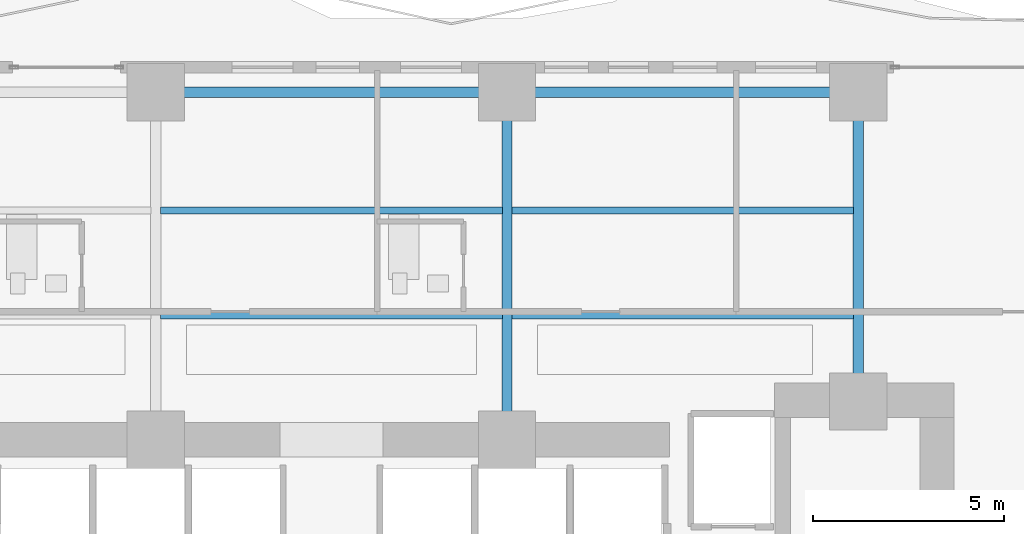
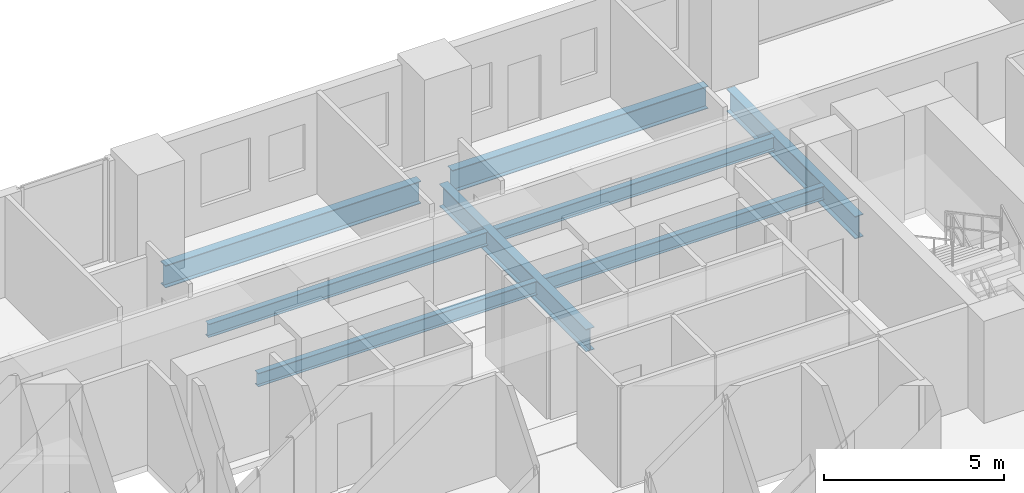
# One storey, part 15 of 29: 8 beams.
"""IFC4 building model written with IfcOpenShell, lengths in metres."""

from ifc_helpers import new_model, si_unit, direction, frame, origin, origin_2d, place, context, subcontext, project, spatial, i_section, extrude, material, material_profile, profile_set, type_object, element, save


model = new_model("IFC4")

# Units and contexts
model_context = context("Model", 3, precision=1e-05, world=origin(), true_north=direction((0.0, 1.0)))
body_context = subcontext(model_context, "Body", "Model", "MODEL_VIEW")
ifc_project = project(units=[si_unit("LENGTHUNIT", "METRE"), si_unit("AREAUNIT", "SQUARE_METRE"), si_unit("VOLUMEUNIT", "CUBIC_METRE"), si_unit("PLANEANGLEUNIT", "RADIAN"), si_unit("MASSUNIT", "GRAM", prefix="KILO")], contexts=[model_context])

# Site, building, storey
site_placement = place(None, origin())
site = spatial("IfcSite", under=ifc_project, at=site_placement, CompositionType="ELEMENT")
building_placement = place(site_placement, origin())
building = spatial("IfcBuilding", under=site, at=building_placement, Name="Zuhayl Quay Hotel", CompositionType="ELEMENT")
storey_placement = place(building_placement, frame((0.0, 0.0, 45.85009765625)))
storey = spatial("IfcBuildingStorey", under=building, at=storey_placement, Name="L10", CompositionType="ELEMENT", Elevation=45.85009765625)

# Beams
ifc_material = material(Name="Steel ASTM A992 Grade 50", Category="steel")
ifc_material_profile_1 = material_profile(ifc_material, i_section(OverallWidth=0.26708984375, OverallDepth=0.761962890625, WebThickness=0.014404296875, FlangeThickness=0.021484375, at=origin_2d()), Name="W30X116")
ifc_profile_set_1 = profile_set([ifc_material_profile_1], Name="Steel ASTM A992 Grade 50")
beam_type_1 = type_object("IfcBeamType", Name="BM_B1_W30X116", PredefinedType="BEAM", material=ifc_profile_set_1)
beam_1_placement = place(storey_placement, frame((13.300048828125, 22.449951171875, -0.60107421875), z_axis=(-1.0, 0.0, 0.0), x_axis=(0.0, -1.0, 0.0)))
element("IfcBeam", 1, at=beam_1_placement, inside=storey, type_object=beam_type_1, Name="L10 Floor Beam RG_L10_07", PredefinedType="BEAM", context=body_context, shape_type="SweptSolid", body=[
    extrude(i_section(OverallWidth=0.26708984375, OverallDepth=0.761962890625, WebThickness=0.014404296875, FlangeThickness=0.021484375, at=origin_2d()), origin(), (0.0, 0.0, 1.0), 8.199951171875),
])
beam_2_placement = place(storey_placement, frame((4.10009765625, 22.449951171875, -0.60107421875), z_axis=(-1.0, 0.0, 0.0), x_axis=(0.0, -1.0, 0.0)))
element("IfcBeam", 2, at=beam_2_placement, inside=storey, type_object=beam_type_1, Name="L10 Floor Beam RG_L10_08", PredefinedType="BEAM", context=body_context, shape_type="SweptSolid", body=[
    extrude(i_section(OverallWidth=0.26708984375, OverallDepth=0.761962890625, WebThickness=0.014404296875, FlangeThickness=0.021484375, at=origin_2d()), origin(), (0.0, 0.0, 1.0), 8.2001953125),
])
beam_3_placement = place(storey_placement, frame((4.60009765625, 13.800048828125, -0.60107421875), z_axis=(0.0, 1.0, 0.0), x_axis=(-1.0, 0.0, 0.0)))
element("IfcBeam", 3, at=beam_3_placement, inside=storey, type_object=beam_type_1, Name="L10 Floor Beam FG_N_L10_3", PredefinedType="BEAM", context=body_context, shape_type="SweptSolid", body=[
    extrude(i_section(OverallWidth=0.26708984375, OverallDepth=0.761962890625, WebThickness=0.014404296875, FlangeThickness=0.021484375, at=origin_2d()), origin(), (0.0, 0.0, 1.0), 8.14990234375),
])
beam_4_placement = place(storey_placement, frame((13.800048828125, 14.800048828125, -0.60107421875), z_axis=(0.0, 1.0, 0.0), x_axis=(-1.0, 0.0, 0.0)))
element("IfcBeam", 4, at=beam_4_placement, inside=storey, type_object=beam_type_1, Name="L10 Floor Beam FG_N_L10_4", PredefinedType="BEAM", context=body_context, shape_type="SweptSolid", body=[
    extrude(i_section(OverallWidth=0.26708984375, OverallDepth=0.761962890625, WebThickness=0.014404296875, FlangeThickness=0.021484375, at=origin_2d()), origin(), (0.0, 0.0, 1.0), 7.14990234375),
])
ifc_material_profile_2 = material_profile(ifc_material, i_section(OverallWidth=0.18994140625, OverallDepth=0.45703125, WebThickness=0.009033203125, FlangeThickness=0.014404296875, at=origin_2d()), Name="W18X50")
ifc_profile_set_2 = profile_set([ifc_material_profile_2], Name="Steel ASTM A992 Grade 50")
beam_type_2 = type_object("IfcBeamType", Name="BM_J2_W18X50", PredefinedType="JOIST", material=ifc_profile_set_2)
beam_5_placement = place(storey_placement, frame((-4.474609375, 16.60009765625, -0.448486328125), z_axis=(1.0, 0.0, 0.0), x_axis=(0.0, 1.0, 0.0)))
element("IfcBeam", 5, at=beam_5_placement, inside=storey, type_object=beam_type_2, Name="L10 Floor Beam FJ_L10_1_2", PredefinedType="JOIST", context=body_context, shape_type="SweptSolid", body=[
    extrude(i_section(OverallWidth=0.18994140625, OverallDepth=0.45703125, WebThickness=0.009033203125, FlangeThickness=0.014404296875, at=origin_2d()), origin(), (0.0, 0.0, 1.0), 8.94921875),
])
beam_6_placement = place(storey_placement, frame((4.7255859375, 16.60009765625, -0.448486328125), z_axis=(1.0, 0.0, 0.0), x_axis=(0.0, 1.0, 0.0)))
element("IfcBeam", 6, at=beam_6_placement, inside=storey, type_object=beam_type_2, Name="L10 Floor Beam FJ_L10_1_3", PredefinedType="JOIST", context=body_context, shape_type="SweptSolid", body=[
    extrude(i_section(OverallWidth=0.18994140625, OverallDepth=0.45703125, WebThickness=0.009033203125, FlangeThickness=0.014404296875, at=origin_2d()), origin(), (0.0, 0.0, 1.0), 8.948974609375),
])
beam_7_placement = place(storey_placement, frame((-4.474609375, 19.35009765625, -0.448486328125), z_axis=(1.0, 0.0, 0.0), x_axis=(0.0, 1.0, 0.0)))
element("IfcBeam", 7, at=beam_7_placement, inside=storey, type_object=beam_type_2, Name="L10 Floor Beam FJ_L10_2_2", PredefinedType="JOIST", context=body_context, shape_type="SweptSolid", body=[
    extrude(i_section(OverallWidth=0.18994140625, OverallDepth=0.45703125, WebThickness=0.009033203125, FlangeThickness=0.014404296875, at=origin_2d()), origin(), (0.0, 0.0, 1.0), 8.94921875),
])
beam_8_placement = place(storey_placement, frame((4.7255859375, 19.35009765625, -0.448486328125), z_axis=(1.0, 0.0, 0.0), x_axis=(0.0, 1.0, 0.0)))
element("IfcBeam", 8, at=beam_8_placement, inside=storey, type_object=beam_type_2, Name="L10 Floor Beam FJ_L10_2_3", PredefinedType="JOIST", context=body_context, shape_type="SweptSolid", body=[
    extrude(i_section(OverallWidth=0.18994140625, OverallDepth=0.45703125, WebThickness=0.009033203125, FlangeThickness=0.014404296875, at=origin_2d()), origin(), (0.0, 0.0, 1.0), 8.948974609375),
])

save(model, "model.ifc")
